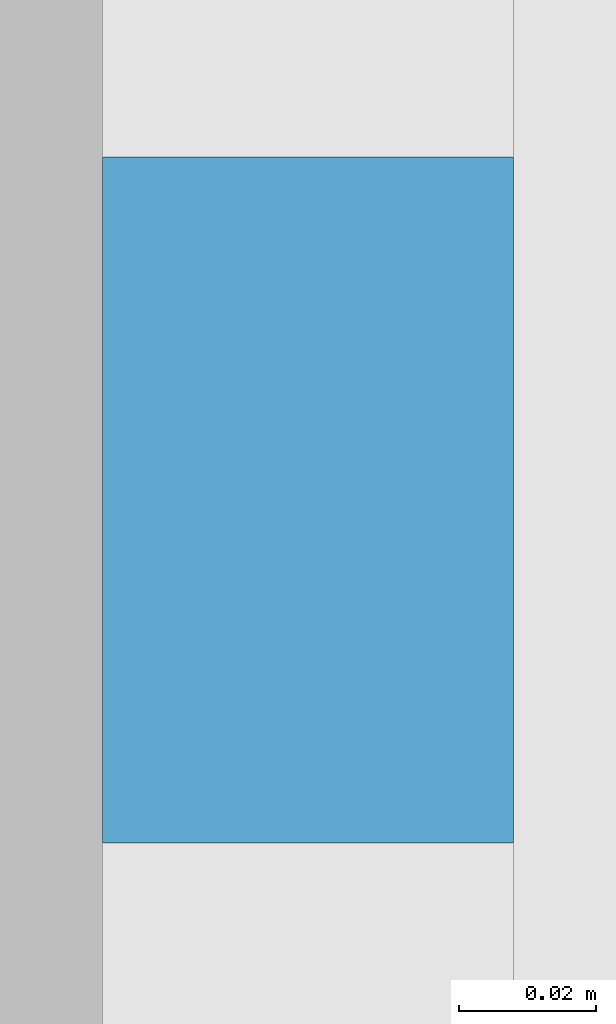
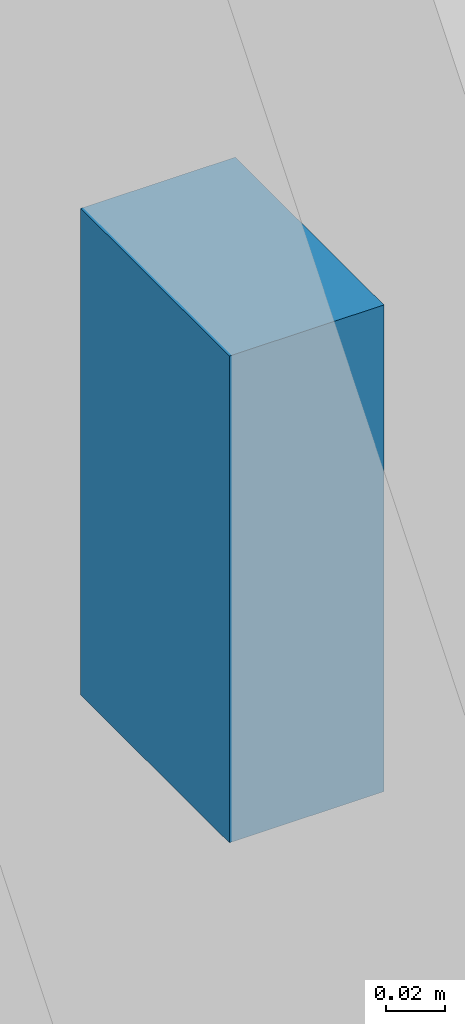
# One storey, part 9 of 12: 1 discrete accessory.
"""IFC4 building model written with IfcOpenShell, lengths in metres."""

from ifc_helpers import new_model, si_unit, direction, frame, origin, origin_2d, place, context, subcontext, project, spatial, rectangle, extrude, material, type_object, element, save


model = new_model("IFC4")

# Units and contexts
model_context = context("Model", 3, precision=1e-05, world=origin(), true_north=direction((0.0, 1.0)))
body_context = subcontext(model_context, "Body", "Model", "MODEL_VIEW")
ifc_project = project(units=[si_unit("LENGTHUNIT", "METRE"), si_unit("AREAUNIT", "SQUARE_METRE"), si_unit("VOLUMEUNIT", "CUBIC_METRE"), si_unit("PLANEANGLEUNIT", "RADIAN"), si_unit("MASSUNIT", "GRAM", prefix="KILO")], contexts=[model_context])

# Site, building, storey
site_placement = place(None, origin())
site = spatial("IfcSite", under=ifc_project, at=site_placement, CompositionType="ELEMENT")
building_placement = place(site_placement, origin())
building = spatial("IfcBuilding", under=site, at=building_placement, Name="Finial Court Residences", CompositionType="ELEMENT")
storey_placement = place(building_placement, frame((0.0, 0.0, 143.89990234375)))
storey = spatial("IfcBuildingStorey", under=building, at=storey_placement, Name="L35", CompositionType="ELEMENT", Elevation=143.89990234375)

# Discrete accessory
ifc_material = material(Name="Stainless steel 316", Category="steel")
discrete_accessory_type = type_object("IfcDiscreteAccessoryType", Name="Fin bracket, stainless steel 100 x 60 x 200", PredefinedType="BRACKET", material=ifc_material)
discrete_accessory_placement = place(storey_placement, frame((25.530029296875, 1.5, 0.30029296875), z_axis=(0.0, 0.0, 1.0), x_axis=(1.0, 0.0, 0.0)))
element("IfcDiscreteAccessory", 1, at=discrete_accessory_placement, inside=storey, type_object=discrete_accessory_type, Name="E-L35-FIN-E12-BRK", PredefinedType="BRACKET", context=body_context, shape_type="SweptSolid", body=[
    extrude(rectangle(XDim=0.06005859375, YDim=0.10009765625, at=origin_2d()), origin(), (0.0, 0.0, 1.0), 0.199951171875),
])

save(model, "model.ifc")
